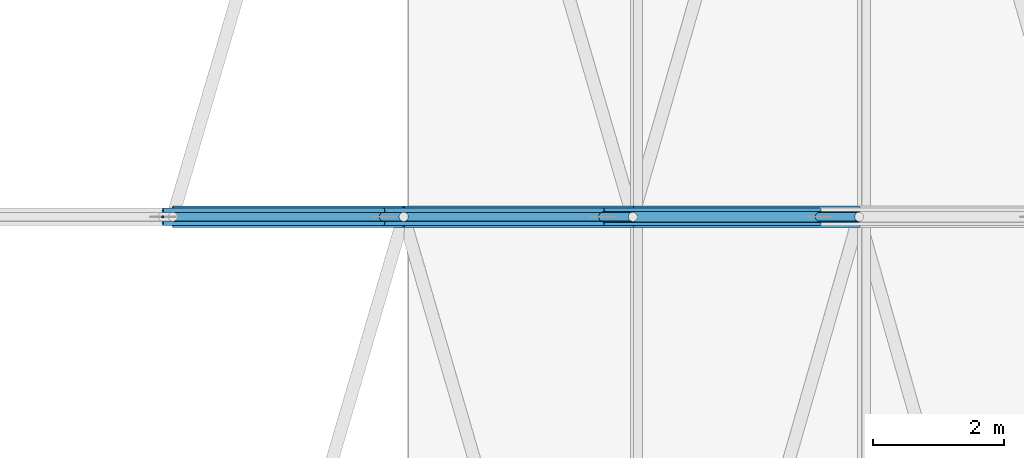
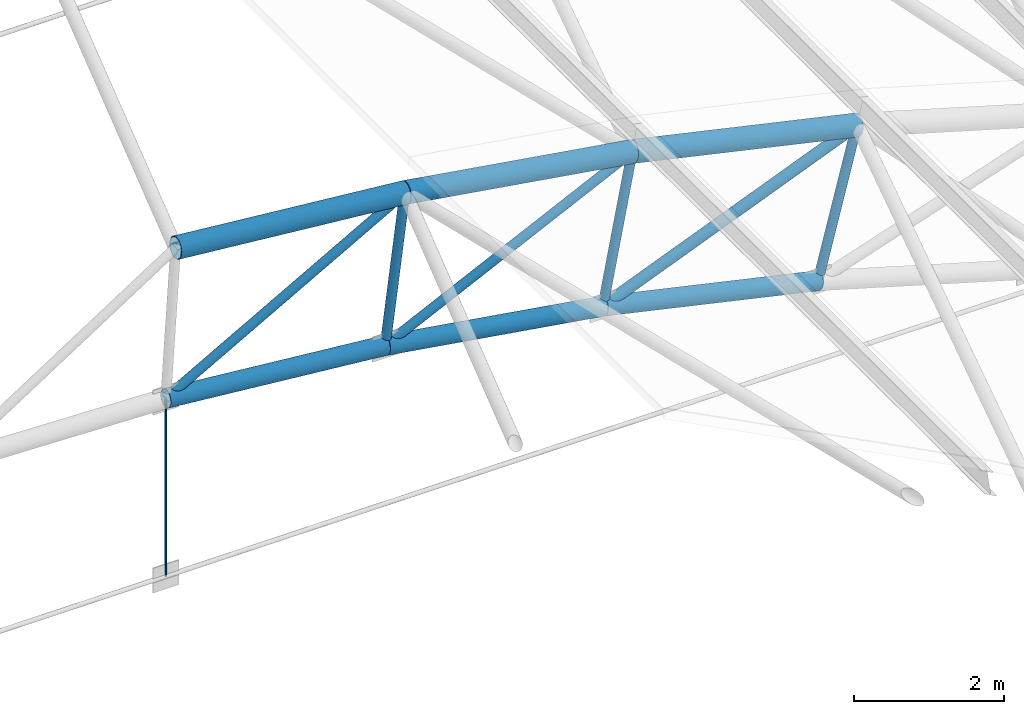
# One storey, part 127 of 321: 13 members.
"""IFC4 building model written with IfcOpenShell, lengths in metres."""

from ifc_helpers import new_model, si_unit, direction, frame, origin, origin_2d, place, context, subcontext, project, spatial, circle, hollow_circle, extrude, material, material_profile, profile_set, type_object, element, save


model = new_model("IFC4")

# Units and contexts
model_context = context("Model", 3, precision=1e-05, world=origin(), true_north=direction((0.0, 1.0)))
body_context = subcontext(model_context, "Body", "Model", "MODEL_VIEW")
ifc_project = project(units=[si_unit("LENGTHUNIT", "METRE"), si_unit("AREAUNIT", "SQUARE_METRE"), si_unit("VOLUMEUNIT", "CUBIC_METRE"), si_unit("PLANEANGLEUNIT", "RADIAN"), si_unit("MASSUNIT", "GRAM", prefix="KILO")], contexts=[model_context])

# Site, building, storey
site_placement = place(None, origin())
site = spatial("IfcSite", under=ifc_project, at=site_placement, CompositionType="ELEMENT")
building_placement = place(site_placement, origin())
building = spatial("IfcBuilding", under=site, at=building_placement, Name="Ravi Spectrum Wholesale Market", CompositionType="ELEMENT")
storey_placement = place(building_placement, frame((0.0, 0.0, 10.800048828125)))
storey = spatial("IfcBuildingStorey", under=building, at=storey_placement, Name="L02", CompositionType="ELEMENT", Elevation=10.800048828125)

# Members
ifc_material_1 = material(Name="Steel S355", Category="steel")
ifc_material_profile_1 = material_profile(ifc_material_1, hollow_circle(Radius=0.06982421875, WallThickness=0.0048828125, at=origin_2d()))
ifc_profile_set_1 = profile_set([ifc_material_profile_1], Name="Steel S355")
member_type_1 = type_object("IfcMemberType", Name="CHS 139.7x5 brace", PredefinedType="BRACE", material=ifc_profile_set_1)
for number, where, z_axis, x_axis, name in (
    (1, (181.0673828125, 90.0, 4.952392578125), (-0.872529716562, 0.0, -0.488561044001), (0.0, -1.0, 0.0), "H2-MB-L02-105"),
    (2, (184.565673828125, 90.0, 4.394775390625), (-0.901638699511, 0.0, -0.432490064098), (0.0, -1.0, 0.0), "H2-MB-L02-106"),
):
    element("IfcMember", number, at=place(storey_placement, frame(where, z_axis=z_axis, x_axis=x_axis)), inside=storey, type_object=member_type_1, Name=name, PredefinedType="BRACE", context=body_context, shape_type="SweptSolid", body=[
        extrude(hollow_circle(Radius=0.06982421875, WallThickness=0.0048828125, at=origin_2d()), origin(), (0.0, 0.0, 1.0), 4.215576171875),
    ])
ifc_material_2 = material(Name="Steel S355", Category="steel")
ifc_material_profile_2 = material_profile(ifc_material_2, hollow_circle(Radius=0.06982421875, WallThickness=0.0048828125, at=origin_2d()))
ifc_profile_set_2 = profile_set([ifc_material_profile_2], Name="Steel S355")
member_type_2 = type_object("IfcMemberType", Name="CHS 139.7x5 post", PredefinedType="POST", material=ifc_profile_set_2)
member_1_placement = place(storey_placement, frame((181.0673828125, 90.0, 4.952392578125), z_axis=(-0.126137795856, 0.0, -0.992012729987), x_axis=(0.0, -1.0, 0.0)))
element("IfcMember", 3, at=member_1_placement, inside=storey, type_object=member_type_2, Name="H2-MB-L02-093", PredefinedType="POST", context=body_context, shape_type="SweptSolid", body=[
    extrude(hollow_circle(Radius=0.06982421875, WallThickness=0.0048828125, at=origin_2d()), origin(), (0.0, 0.0, 1.0), 2.400146484375),
])
member_2_placement = place(storey_placement, frame((184.565673828125, 90.0, 4.394775390625), z_axis=(-0.188500261805, 0.0, -0.982073139486), x_axis=(0.0, -1.0, 0.0)))
element("IfcMember", 4, at=member_2_placement, inside=storey, type_object=member_type_2, Name="H2-MB-L02-094", PredefinedType="POST", context=body_context, shape_type="SweptSolid", body=[
    extrude(hollow_circle(Radius=0.06982421875, WallThickness=0.0048828125, at=origin_2d()), origin(), (0.0, 0.0, 1.0), 2.39990234375),
])
member_3_placement = place(storey_placement, frame((188.02197265625, 90.0, 3.6171875), z_axis=(-0.250234870817, 0.0, -0.96818516278), x_axis=(0.0, -1.0, 0.0)))
element("IfcMember", 5, at=member_3_placement, inside=storey, type_object=member_type_2, Name="H2-MB-L02-095", PredefinedType="POST", context=body_context, shape_type="SweptSolid", body=[
    extrude(hollow_circle(Radius=0.06982421875, WallThickness=0.0048828125, at=origin_2d()), origin(), (0.0, 0.0, 1.0), 2.400146484375),
])
ifc_material_3 = material(Name="Steel S355", Category="steel")
ifc_material_profile_3 = material_profile(ifc_material_3, hollow_circle(Radius=0.084228515625, WallThickness=0.00634765625, at=origin_2d()))
ifc_profile_set_3 = profile_set([ifc_material_profile_3], Name="Steel S355")
member_type_3 = type_object("IfcMemberType", Name="CHS 168.3x6.3 brace", PredefinedType="BRACE", material=ifc_profile_set_3)
member_4_placement = place(storey_placement, frame((188.02197265625, 90.0, 3.6171875), z_axis=(-0.927172989808, 0.0, -0.374633483515), x_axis=(0.0, -1.0, 0.0)))
element("IfcMember", 6, at=member_4_placement, inside=storey, type_object=member_type_3, Name="H2-MB-L02-107", PredefinedType="BRACE", context=body_context, shape_type="SweptSolid", body=[
    extrude(hollow_circle(Radius=0.084228515625, WallThickness=0.00634765625, at=origin_2d()), origin(), (0.0, 0.0, 1.0), 4.2158203125),
])
ifc_material_4 = material(Name="Steel S355", Category="steel")
ifc_material_profile_4 = material_profile(ifc_material_4, hollow_circle(Radius=0.136474609375, WallThickness=0.010009765625, at=origin_2d()))
ifc_profile_set_4 = profile_set([ifc_material_profile_4], Name="Steel S355")
member_type_4 = type_object("IfcMemberType", Name="CHS 273x10 chord", PredefinedType="CHORD", material=ifc_profile_set_4)
member_5_placement = place(storey_placement, frame((177.38916015625, 90.0, 2.892822265625), z_axis=(0.995500648787, 0.0, -0.094754726877), x_axis=(0.0, 1.0, 0.0)))
element("IfcMember", 7, at=member_5_placement, inside=storey, type_object=member_type_4, Name="H2-MB-L02-079", PredefinedType="CHORD", context=body_context, shape_type="SweptSolid", body=[
    extrude(hollow_circle(Radius=0.136474609375, WallThickness=0.010009765625, at=origin_2d()), origin(), (0.0, 0.0, 1.0), 3.390625),
])
for number, where, z_axis, x_axis, name in (
    (8, (180.7646484375, 90.0, 2.571533203125), (0.98753659733, 0.0, -0.157389545185), (0.0, 1.0, 0.0), "H2-MB-L02-080"),
    (9, (184.11328125, 90.0, 2.037841796875), (0.975605901076, 0.0, -0.219529327851), (0.0, 1.0, 0.0), "H2-MB-L02-081"),
):
    element("IfcMember", number, at=place(storey_placement, frame(where, z_axis=z_axis, x_axis=x_axis)), inside=storey, type_object=member_type_4, Name=name, PredefinedType="CHORD", context=body_context, shape_type="SweptSolid", body=[
        extrude(hollow_circle(Radius=0.136474609375, WallThickness=0.010009765625, at=origin_2d()), origin(), (0.0, 0.0, 1.0), 3.390869140625),
    ])
ifc_material_5 = material(Name="Steel S355", Category="steel")
ifc_material_profile_5 = material_profile(ifc_material_5, hollow_circle(Radius=0.161865234375, WallThickness=0.010009765625, at=origin_2d()))
ifc_profile_set_5 = profile_set([ifc_material_profile_5], Name="Steel S355")
member_type_5 = type_object("IfcMemberType", Name="CHS 323.9x10 chord", PredefinedType="CHORD", material=ifc_profile_set_5)
for number, where, z_axis, x_axis, name in (
    (10, (177.540771484375, 90.0, 5.2880859375), (0.995500117461, 0.0, -0.094760308862), (0.0, 1.0, 0.0), "H2-MB-L02-065"),
    (11, (181.0673828125, 90.0, 4.952392578125), (0.987533356072, 0.0, -0.157409881029), (0.0, 1.0, 0.0), "H2-MB-L02-066"),
):
    element("IfcMember", number, at=place(storey_placement, frame(where, z_axis=z_axis, x_axis=x_axis)), inside=storey, type_object=member_type_5, Name=name, PredefinedType="CHORD", context=body_context, shape_type="SweptSolid", body=[
        extrude(hollow_circle(Radius=0.161865234375, WallThickness=0.010009765625, at=origin_2d()), origin(), (0.0, 0.0, 1.0), 3.54248046875),
    ])
member_6_placement = place(storey_placement, frame((184.565673828125, 90.0, 4.394775390625), z_axis=(0.975614552373, 0.0, -0.219490877256), x_axis=(0.0, 1.0, 0.0)))
element("IfcMember", 12, at=member_6_placement, inside=storey, type_object=member_type_5, Name="H2-MB-L02-067", PredefinedType="CHORD", context=body_context, shape_type="SweptSolid", body=[
    extrude(hollow_circle(Radius=0.161865234375, WallThickness=0.010009765625, at=origin_2d()), origin(), (0.0, 0.0, 1.0), 3.542724609375),
])
ifc_material_6 = material(Name="Steel S355", Category="steel")
ifc_material_profile_6 = material_profile(ifc_material_6, circle(Radius=0.01806640625, at=origin_2d()))
ifc_profile_set_6 = profile_set([ifc_material_profile_6], Name="Steel S355")
member_type_6 = type_object("IfcMemberType", Name="ROD 36 hanger", PredefinedType="STRUT", material=ifc_profile_set_6)
member_7_placement = place(storey_placement, frame((177.38916015625, 90.0, 0.0), z_axis=(0.0, 0.0, 1.0), x_axis=(1.0, 0.0, 0.0)))
element("IfcMember", 13, at=member_7_placement, inside=storey, type_object=member_type_6, Name="H2-MB-L02-112", PredefinedType="STRUT", context=body_context, shape_type="SweptSolid", body=[
    extrude(circle(Radius=0.01806640625, at=origin_2d()), origin(), (0.0, 0.0, 1.0), 2.892822265625),
])

save(model, "model.ifc")
